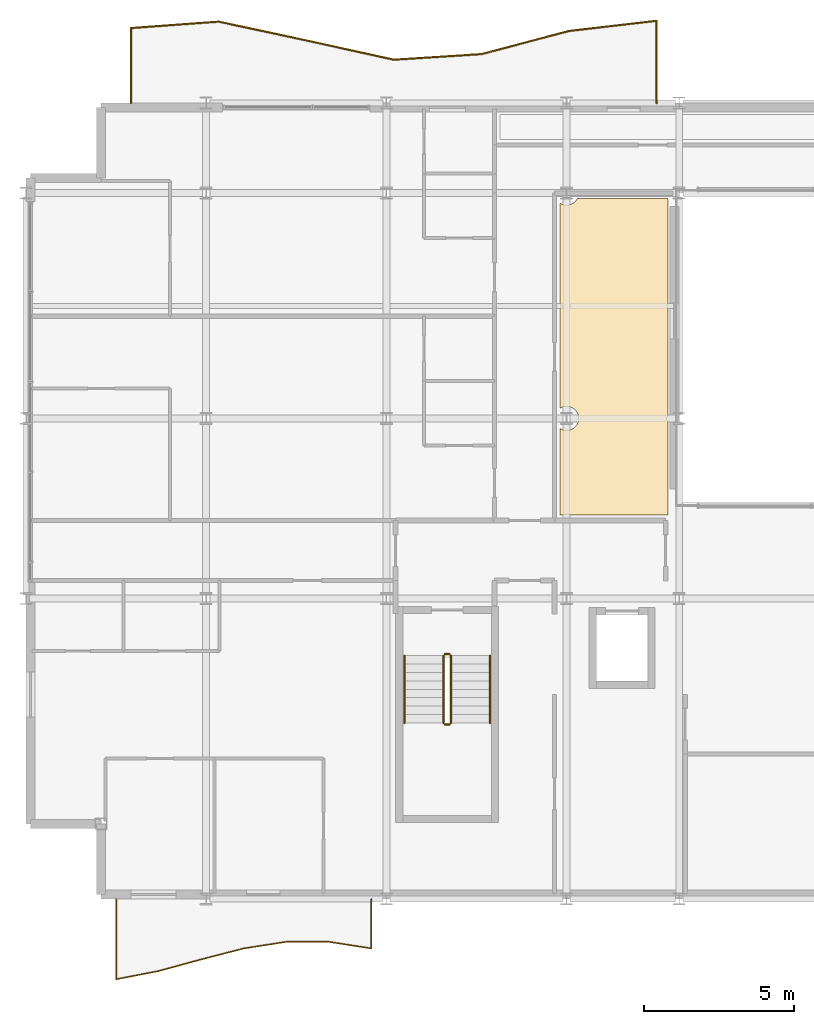
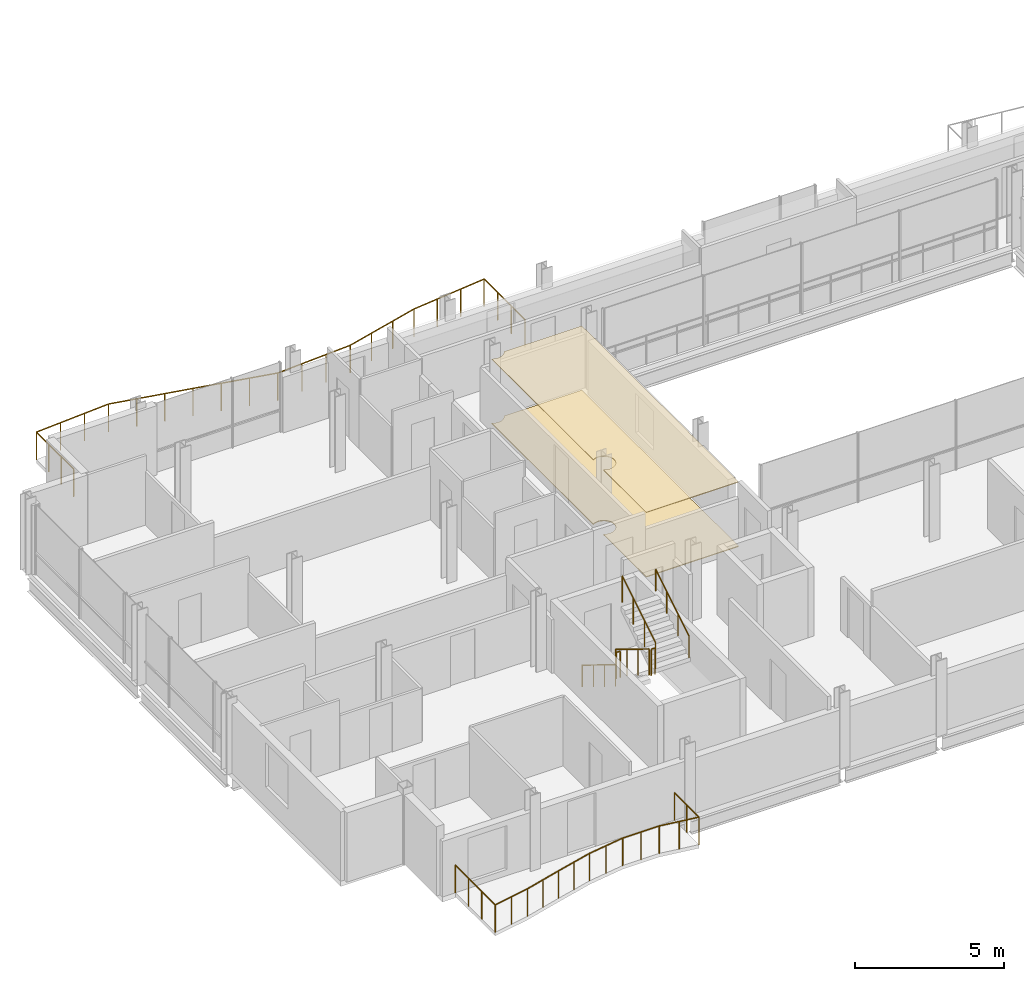
# One storey, part 34 of 36: 8 railings, 2 coverings.
"""IFC4 building model written with IfcOpenShell, lengths in metres."""

from ifc_helpers import new_model, si_unit, direction, frame, origin, origin_2d, place, context, subcontext, project, spatial, polyline, circle, outline, extrude, material, layer, layer_set, type_object, element, save


model = new_model("IFC4")

# Units and contexts
model_context = context("Model", 3, precision=1e-05, world=origin(), true_north=direction((0.0, 1.0)))
body_context = subcontext(model_context, "Body", "Model", "MODEL_VIEW")
ifc_project = project(units=[si_unit("LENGTHUNIT", "METRE"), si_unit("AREAUNIT", "SQUARE_METRE"), si_unit("VOLUMEUNIT", "CUBIC_METRE"), si_unit("PLANEANGLEUNIT", "RADIAN"), si_unit("MASSUNIT", "GRAM", prefix="KILO")], contexts=[model_context])

# Site, building, storey
site_placement = place(None, origin())
site = spatial("IfcSite", under=ifc_project, at=site_placement, CompositionType="ELEMENT")
building_placement = place(site_placement, origin())
building = spatial("IfcBuilding", under=site, at=building_placement, Name="Brevholm Reach", CompositionType="ELEMENT")
storey_placement = place(building_placement, frame((0.0, 0.0, 175.89990234375)))
storey = spatial("IfcBuildingStorey", under=building, at=storey_placement, Name="L53", CompositionType="ELEMENT", Elevation=175.89990234375)

# Coverings
ifc_material_1 = material(Name="Moisture-Resistant Skimmed Gypsum Plasterboard Ceiling", Category="gypsum")
ifc_layer_1 = layer(ifc_material_1, 0.030029296875)
ifc_layer_set_1 = layer_set([ifc_layer_1], Name="Moisture-Resistant Skimmed Gypsum Plasterboard Ceiling")
covering_type_1 = type_object("IfcCoveringType", Name="COV-CLG-GYP", PredefinedType="CEILING", material=ifc_layer_set_1)
covering_1_placement = place(storey_placement, frame((0.0, 0.0, 2.64013671875)))
element("IfcCovering", 1, at=covering_1_placement, inside=storey, type_object=covering_type_1, Name="L53 Suspended Ceiling L53-52", PredefinedType="CEILING", context=body_context, shape_type="SweptSolid", body=[
    extrude(outline(polyline([(21.3701171875, 23.320068359375), (21.3701171875, 16.123779296875), (21.3671875, 16.1162109375), (21.357666015625, 16.077880859375), (21.351806640625, 16.039306640625), (21.35009765625, 16.0), (21.351806640625, 15.960693359375), (21.357666015625, 15.922119140625), (21.3671875, 15.8837890625), (21.3701171875, 15.876220703125), (21.3701171875, 12.783935546875), (17.783935546875, 12.783935546875), (17.783935546875, 15.663818359375), (17.811279296875, 15.647216796875), (17.846923828125, 15.63037109375), (17.8837890625, 15.6171875), (17.922119140625, 15.607666015625), (17.960693359375, 15.601806640625), (18.0, 15.60009765625), (18.039306640625, 15.601806640625), (18.077880859375, 15.607666015625), (18.1162109375, 15.6171875), (18.153076171875, 15.63037109375), (18.188720703125, 15.647216796875), (18.22216796875, 15.66748046875), (18.25390625, 15.69091796875), (18.28271484375, 15.71728515625), (18.30908203125, 15.74609375), (18.33251953125, 15.77783203125), (18.352783203125, 15.811279296875), (18.36962890625, 15.846923828125), (18.3828125, 15.8837890625), (18.392333984375, 15.922119140625), (18.398193359375, 15.960693359375), (18.39990234375, 16.0), (18.398193359375, 16.039306640625), (18.392333984375, 16.077880859375), (18.3828125, 16.1162109375), (18.36962890625, 16.153076171875), (18.352783203125, 16.188720703125), (18.33251953125, 16.22216796875), (18.30908203125, 16.25390625), (18.28271484375, 16.28271484375), (18.25390625, 16.30908203125), (18.22216796875, 16.33251953125), (18.188720703125, 16.352783203125), (18.153076171875, 16.36962890625), (18.1162109375, 16.3828125), (18.077880859375, 16.392333984375), (18.039306640625, 16.398193359375), (18.0, 16.39990234375), (17.960693359375, 16.398193359375), (17.922119140625, 16.392333984375), (17.8837890625, 16.3828125), (17.846923828125, 16.36962890625), (17.811279296875, 16.352783203125), (17.783935546875, 16.336181640625), (17.783935546875, 23.163818359375), (17.811279296875, 23.147216796875), (17.846923828125, 23.13037109375), (17.8837890625, 23.1171875), (17.922119140625, 23.107666015625), (17.960693359375, 23.101806640625), (18.0, 23.10009765625), (18.039306640625, 23.101806640625), (18.077880859375, 23.107666015625), (18.1162109375, 23.1171875), (18.153076171875, 23.13037109375), (18.188720703125, 23.147216796875), (18.22216796875, 23.16748046875), (18.25390625, 23.19091796875), (18.28271484375, 23.21728515625), (18.30908203125, 23.24609375), (18.33251953125, 23.27783203125), (18.352783203125, 23.311279296875), (18.356689453125, 23.320068359375), (21.3701171875, 23.320068359375)])), origin(), (0.0, 0.0, 1.0), 0.030029296875),
])
ifc_material_2 = material(Name="Honed Portland-Aggregate Resin Terrazzo Flooring", Category="concrete")
ifc_layer_2 = layer(ifc_material_2, 0.031982421875)
ifc_layer_set_2 = layer_set([ifc_layer_2], Name="Honed Portland-Aggregate Resin Terrazzo Flooring")
covering_type_2 = type_object("IfcCoveringType", Name="COV-FLR-TRZ", PredefinedType="FLOORING", material=ifc_layer_set_2)
covering_2_placement = place(storey_placement, origin())
element("IfcCovering", 2, at=covering_2_placement, inside=storey, type_object=covering_type_2, Name="L53 Floor Finish L53-52", PredefinedType="FLOORING", context=body_context, shape_type="SweptSolid", body=[
    extrude(outline(polyline([(21.3701171875, 23.320068359375), (21.3701171875, 16.123779296875), (21.3671875, 16.1162109375), (21.357666015625, 16.077880859375), (21.351806640625, 16.039306640625), (21.35009765625, 16.0), (21.351806640625, 15.960693359375), (21.357666015625, 15.922119140625), (21.3671875, 15.8837890625), (21.3701171875, 15.876220703125), (21.3701171875, 12.783935546875), (17.783935546875, 12.783935546875), (17.783935546875, 15.663818359375), (17.811279296875, 15.647216796875), (17.846923828125, 15.63037109375), (17.8837890625, 15.6171875), (17.922119140625, 15.607666015625), (17.960693359375, 15.601806640625), (18.0, 15.60009765625), (18.039306640625, 15.601806640625), (18.077880859375, 15.607666015625), (18.1162109375, 15.6171875), (18.153076171875, 15.63037109375), (18.188720703125, 15.647216796875), (18.22216796875, 15.66748046875), (18.25390625, 15.69091796875), (18.28271484375, 15.71728515625), (18.30908203125, 15.74609375), (18.33251953125, 15.77783203125), (18.352783203125, 15.811279296875), (18.36962890625, 15.846923828125), (18.3828125, 15.8837890625), (18.392333984375, 15.922119140625), (18.398193359375, 15.960693359375), (18.39990234375, 16.0), (18.398193359375, 16.039306640625), (18.392333984375, 16.077880859375), (18.3828125, 16.1162109375), (18.36962890625, 16.153076171875), (18.352783203125, 16.188720703125), (18.33251953125, 16.22216796875), (18.30908203125, 16.25390625), (18.28271484375, 16.28271484375), (18.25390625, 16.30908203125), (18.22216796875, 16.33251953125), (18.188720703125, 16.352783203125), (18.153076171875, 16.36962890625), (18.1162109375, 16.3828125), (18.077880859375, 16.392333984375), (18.039306640625, 16.398193359375), (18.0, 16.39990234375), (17.960693359375, 16.398193359375), (17.922119140625, 16.392333984375), (17.8837890625, 16.3828125), (17.846923828125, 16.36962890625), (17.811279296875, 16.352783203125), (17.783935546875, 16.336181640625), (17.783935546875, 23.163818359375), (17.811279296875, 23.147216796875), (17.846923828125, 23.13037109375), (17.8837890625, 23.1171875), (17.922119140625, 23.107666015625), (17.960693359375, 23.101806640625), (18.0, 23.10009765625), (18.039306640625, 23.101806640625), (18.077880859375, 23.107666015625), (18.1162109375, 23.1171875), (18.153076171875, 23.13037109375), (18.188720703125, 23.147216796875), (18.22216796875, 23.16748046875), (18.25390625, 23.19091796875), (18.28271484375, 23.21728515625), (18.30908203125, 23.24609375), (18.33251953125, 23.27783203125), (18.352783203125, 23.311279296875), (18.356689453125, 23.320068359375), (21.3701171875, 23.320068359375)])), origin(), (0.0, 0.0, 1.0), 0.031982421875),
])

# Railings
ifc_material_3 = material(Name="Brushed Stainless Steel EN 1.4401 and Laminated Glass", Category="steel")
railing_type_1 = type_object("IfcRailingType", Name="RAL-BALC-1150", PredefinedType="BALUSTRADE", material=ifc_material_3)
railing_1_placement = place(storey_placement, frame((21.0, 26.5, 0.0)))
element("IfcRailing", 3, at=railing_1_placement, inside=storey, type_object=railing_type_1, Name="L53 Guard Balustrade RAL-L53-BAL-NW", PredefinedType="BALUSTRADE", context=body_context, shape_type="SweptSolid", body=[
    extrude(circle(Radius=0.02392578125, at=origin_2d()), frame((0.0, 0.0, 1.1259765625), z_axis=(0.0, 1.0, 0.0), x_axis=(-1.0, 0.0, 0.0)), (0.0, 0.0, 1.0), 2.74169921875),
    extrude(circle(Radius=0.02392578125, at=origin_2d()), frame((0.0, 2.74169921875, 1.1259765625), z_axis=(-0.99329006652, -0.11564965954, 0.0), x_axis=(0.11564965954, -0.99329006652, 0.0)), (0.0, 0.0, 1.0), 2.9365234375),
    extrude(circle(Radius=0.02392578125, at=origin_2d()), frame((-2.916748046875, 2.402099609375, 1.1259765625), z_axis=(-0.966868735292, -0.255274065889, 0.0), x_axis=(0.255274065889, -0.966868735292, 0.0)), (0.0, 0.0, 1.0), 3.016357421875),
    extrude(circle(Radius=0.02392578125, at=origin_2d()), frame((-5.833251953125, 1.632080078125, 1.1259765625), z_axis=(-0.997945514781, -0.06406831923, 0.0), x_axis=(0.06406831923, -0.997945514781, 0.0)), (0.0, 0.0, 1.0), 2.9228515625),
    extrude(circle(Radius=0.02392578125, at=origin_2d()), frame((-8.75, 1.44482421875, 1.1259765625), z_axis=(-0.976615982801, 0.214991214093, 0.0), x_axis=(-0.214991214093, -0.976615982801, 0.0)), (0.0, 0.0, 1.0), 2.986572265625),
    extrude(circle(Radius=0.02392578125, at=origin_2d()), frame((-11.666748046875, 2.0869140625, 1.1259765625), z_axis=(-0.977716094956, 0.209931507079, 0.0), x_axis=(-0.209931507079, -0.977716094956, 0.0)), (0.0, 0.0, 1.0), 2.98291015625),
    extrude(circle(Radius=0.02392578125, at=origin_2d()), frame((-14.583251953125, 2.713134765625, 1.1259765625), z_axis=(-0.997334760815, -0.072961461535, 0.0), x_axis=(0.072961461535, -0.997334760815, 0.0)), (0.0, 0.0, 1.0), 2.924560546875),
    extrude(circle(Radius=0.02392578125, at=origin_2d()), frame((-17.5, 2.499755859375, 1.1259765625), z_axis=(0.0, -1.0, 0.0), x_axis=(1.0, 0.0, 0.0)), (0.0, 0.0, 1.0), 2.499755859375),
    extrude(circle(Radius=0.02099609375, at=origin_2d()), origin(), (0.0, 0.0, 1.0), 1.101806640625),
    extrude(circle(Radius=0.02099609375, at=origin_2d()), frame((0.0, 0.913818359375, 0.0)), (0.0, 0.0, 1.0), 1.101806640625),
    extrude(circle(Radius=0.02099609375, at=origin_2d()), frame((0.0, 1.827880859375, 0.0)), (0.0, 0.0, 1.0), 1.101806640625),
    extrude(circle(Radius=0.02099609375, at=origin_2d()), frame((0.0, 2.74169921875, 0.0)), (0.0, 0.0, 1.0), 1.101806640625),
    extrude(circle(Radius=0.02099609375, at=origin_2d()), frame((-0.97216796875, 2.62841796875, 0.0)), (0.0, 0.0, 1.0), 1.101806640625),
    extrude(circle(Radius=0.02099609375, at=origin_2d()), frame((-1.944580078125, 2.515380859375, 0.0)), (0.0, 0.0, 1.0), 1.101806640625),
    extrude(circle(Radius=0.02099609375, at=origin_2d()), frame((-2.916748046875, 2.402099609375, 0.0)), (0.0, 0.0, 1.0), 1.101806640625),
    extrude(circle(Radius=0.02099609375, at=origin_2d()), frame((-3.888916015625, 2.1455078125, 0.0)), (0.0, 0.0, 1.0), 1.101806640625),
    extrude(circle(Radius=0.02099609375, at=origin_2d()), frame((-4.861083984375, 1.888671875, 0.0)), (0.0, 0.0, 1.0), 1.101806640625),
    extrude(circle(Radius=0.02099609375, at=origin_2d()), frame((-5.833251953125, 1.632080078125, 0.0)), (0.0, 0.0, 1.0), 1.101806640625),
    extrude(circle(Radius=0.02099609375, at=origin_2d()), frame((-6.805419921875, 1.569580078125, 0.0)), (0.0, 0.0, 1.0), 1.101806640625),
    extrude(circle(Radius=0.02099609375, at=origin_2d()), frame((-7.77783203125, 1.50732421875, 0.0)), (0.0, 0.0, 1.0), 1.101806640625),
    extrude(circle(Radius=0.02099609375, at=origin_2d()), frame((-8.75, 1.44482421875, 0.0)), (0.0, 0.0, 1.0), 1.101806640625),
    extrude(circle(Radius=0.02099609375, at=origin_2d()), frame((-9.72216796875, 1.658935546875, 0.0)), (0.0, 0.0, 1.0), 1.101806640625),
    extrude(circle(Radius=0.02099609375, at=origin_2d()), frame((-10.694580078125, 1.872802734375, 0.0)), (0.0, 0.0, 1.0), 1.101806640625),
    extrude(circle(Radius=0.02099609375, at=origin_2d()), frame((-11.666748046875, 2.0869140625, 0.0)), (0.0, 0.0, 1.0), 1.101806640625),
    extrude(circle(Radius=0.02099609375, at=origin_2d()), frame((-12.638916015625, 2.295654296875, 0.0)), (0.0, 0.0, 1.0), 1.101806640625),
    extrude(circle(Radius=0.02099609375, at=origin_2d()), frame((-13.611083984375, 2.50439453125, 0.0)), (0.0, 0.0, 1.0), 1.101806640625),
    extrude(circle(Radius=0.02099609375, at=origin_2d()), frame((-14.583251953125, 2.713134765625, 0.0)), (0.0, 0.0, 1.0), 1.101806640625),
    extrude(circle(Radius=0.02099609375, at=origin_2d()), frame((-15.555419921875, 2.64208984375, 0.0)), (0.0, 0.0, 1.0), 1.101806640625),
    extrude(circle(Radius=0.02099609375, at=origin_2d()), frame((-16.52783203125, 2.57080078125, 0.0)), (0.0, 0.0, 1.0), 1.101806640625),
    extrude(circle(Radius=0.02099609375, at=origin_2d()), frame((-17.5, 2.499755859375, 0.0)), (0.0, 0.0, 1.0), 1.101806640625),
    extrude(circle(Radius=0.02099609375, at=origin_2d()), frame((-17.5, 1.66650390625, 0.0)), (0.0, 0.0, 1.0), 1.101806640625),
    extrude(circle(Radius=0.02099609375, at=origin_2d()), frame((-17.5, 0.833251953125, 0.0)), (0.0, 0.0, 1.0), 1.101806640625),
    extrude(circle(Radius=0.02099609375, at=origin_2d()), frame((-17.5, 0.0, 0.0)), (0.0, 0.0, 1.0), 1.101806640625),
])
railing_2_placement = place(storey_placement, frame((3.0, 0.0, 0.0)))
element("IfcRailing", 4, at=railing_2_placement, inside=storey, type_object=railing_type_1, Name="L53 Guard Balustrade RAL-L53-BAL-SW", PredefinedType="BALUSTRADE", context=body_context, shape_type="SweptSolid", body=[
    extrude(circle(Radius=0.02392578125, at=origin_2d()), frame((0.0, 0.0, 1.1259765625), z_axis=(0.0, -1.0, 0.0), x_axis=(1.0, 0.0, 0.0)), (0.0, 0.0, 1.0), 2.676513671875),
    extrude(circle(Radius=0.02392578125, at=origin_2d()), frame((0.0, -2.676513671875, 1.1259765625), z_axis=(0.98175336952, 0.190158674365, 0.0), x_axis=(-0.190158674365, 0.98175336952, 0.0)), (0.0, 0.0, 1.0), 1.443115234375),
    extrude(circle(Radius=0.02392578125, at=origin_2d()), frame((1.416748046875, -2.402099609375, 1.1259765625), z_axis=(0.964821360478, 0.262906337628, 0.0), x_axis=(-0.262906337628, 0.964821360478, 0.0)), (0.0, 0.0, 1.0), 1.46826171875),
    extrude(circle(Radius=0.02392578125, at=origin_2d()), frame((2.833251953125, -2.01611328125, 1.1259765625), z_axis=(0.968218696825, 0.250105088151, 0.0), x_axis=(-0.250105088151, 0.968218696825, 0.0)), (0.0, 0.0, 1.0), 1.463134765625),
    extrude(circle(Radius=0.02392578125, at=origin_2d()), frame((4.25, -1.650146484375, 1.1259765625), z_axis=(0.988082538492, 0.153924972393, 0.0), x_axis=(-0.153924972393, 0.988082538492, 0.0)), (0.0, 0.0, 1.0), 1.433837890625),
    extrude(circle(Radius=0.02392578125, at=origin_2d()), frame((5.666748046875, -1.429443359375, 1.1259765625), z_axis=(1.0, 0.0, 0.0), x_axis=(0.0, 1.0, 0.0)), (0.0, 0.0, 1.0), 1.41650390625),
    extrude(circle(Radius=0.02392578125, at=origin_2d()), frame((7.083251953125, -1.429443359375, 1.1259765625), z_axis=(0.988082538492, -0.153924972393, 0.0), x_axis=(0.153924972393, 0.988082538492, 0.0)), (0.0, 0.0, 1.0), 1.433837890625),
    extrude(circle(Radius=0.02392578125, at=origin_2d()), frame((8.5, -1.650146484375, 1.1259765625), z_axis=(0.0, 1.0, 0.0), x_axis=(-1.0, 0.0, 0.0)), (0.0, 0.0, 1.0), 1.650146484375),
    extrude(circle(Radius=0.02099609375, at=origin_2d()), origin(), (0.0, 0.0, 1.0), 1.101806640625),
    extrude(circle(Radius=0.02099609375, at=origin_2d()), frame((0.0, -0.89208984375, 0.0)), (0.0, 0.0, 1.0), 1.101806640625),
    extrude(circle(Radius=0.02099609375, at=origin_2d()), frame((0.0, -1.784423828125, 0.0)), (0.0, 0.0, 1.0), 1.101806640625),
    extrude(circle(Radius=0.02099609375, at=origin_2d()), frame((0.0, -2.676513671875, 0.0)), (0.0, 0.0, 1.0), 1.101806640625),
    extrude(circle(Radius=0.02099609375, at=origin_2d()), frame((0.70849609375, -2.539306640625, 0.0)), (0.0, 0.0, 1.0), 1.101806640625),
    extrude(circle(Radius=0.02099609375, at=origin_2d()), frame((1.416748046875, -2.402099609375, 0.0)), (0.0, 0.0, 1.0), 1.101806640625),
    extrude(circle(Radius=0.02099609375, at=origin_2d()), frame((2.125, -2.208984375, 0.0)), (0.0, 0.0, 1.0), 1.101806640625),
    extrude(circle(Radius=0.02099609375, at=origin_2d()), frame((2.833251953125, -2.01611328125, 0.0)), (0.0, 0.0, 1.0), 1.101806640625),
    extrude(circle(Radius=0.02099609375, at=origin_2d()), frame((3.54150390625, -1.8330078125, 0.0)), (0.0, 0.0, 1.0), 1.101806640625),
    extrude(circle(Radius=0.02099609375, at=origin_2d()), frame((4.25, -1.650146484375, 0.0)), (0.0, 0.0, 1.0), 1.101806640625),
    extrude(circle(Radius=0.02099609375, at=origin_2d()), frame((4.95849609375, -1.539794921875, 0.0)), (0.0, 0.0, 1.0), 1.101806640625),
    extrude(circle(Radius=0.02099609375, at=origin_2d()), frame((5.666748046875, -1.429443359375, 0.0)), (0.0, 0.0, 1.0), 1.101806640625),
    extrude(circle(Radius=0.02099609375, at=origin_2d()), frame((6.375, -1.429443359375, 0.0)), (0.0, 0.0, 1.0), 1.101806640625),
    extrude(circle(Radius=0.02099609375, at=origin_2d()), frame((7.083251953125, -1.429443359375, 0.0)), (0.0, 0.0, 1.0), 1.101806640625),
    extrude(circle(Radius=0.02099609375, at=origin_2d()), frame((7.79150390625, -1.539794921875, 0.0)), (0.0, 0.0, 1.0), 1.101806640625),
    extrude(circle(Radius=0.02099609375, at=origin_2d()), frame((8.5, -1.650146484375, 0.0)), (0.0, 0.0, 1.0), 1.101806640625),
    extrude(circle(Radius=0.02099609375, at=origin_2d()), frame((8.5, -0.8251953125, 0.0)), (0.0, 0.0, 1.0), 1.101806640625),
    extrude(circle(Radius=0.02099609375, at=origin_2d()), frame((8.5, 0.0, 0.0)), (0.0, 0.0, 1.0), 1.101806640625),
])
ifc_material_4 = material(Name="Brushed Stainless Steel EN 1.4401 Continuous Handrail", Category="steel")
railing_type_2 = type_object("IfcRailingType", Name="RAL-HND-950", PredefinedType="HANDRAIL", material=ifc_material_4)
railing_3_placement = place(storey_placement, frame((12.60009765625, 8.10009765625, 0.17236328125)))
element("IfcRailing", 5, at=railing_3_placement, inside=storey, type_object=railing_type_2, Name="L53 ST-1 stair handrail 1", PredefinedType="HANDRAIL", context=body_context, shape_type="SweptSolid", body=[
    extrude(circle(Radius=0.02392578125, at=origin_2d()), frame((0.0, 0.0, 0.8857421875), z_axis=(0.0, -0.85178898068, 0.523885037382), x_axis=(1.0, 0.0, 0.0)), (0.0, 0.0, 1.0), 2.629638671875),
    extrude(circle(Radius=0.02099609375, at=origin_2d()), origin(), (0.0, 0.0, 1.0), 0.86181640625),
    extrude(circle(Radius=0.02099609375, at=origin_2d()), frame((0.0, -0.74658203125, 0.459228515625)), (0.0, 0.0, 1.0), 0.86181640625),
    extrude(circle(Radius=0.02099609375, at=origin_2d()), frame((0.0, -1.493408203125, 0.91845703125)), (0.0, 0.0, 1.0), 0.86181640625),
    extrude(circle(Radius=0.02099609375, at=origin_2d()), frame((0.0, -2.239990234375, 1.377685546875)), (0.0, 0.0, 1.0), 0.86181640625),
])
railing_4_placement = place(storey_placement, frame((15.449951171875, 5.860107421875, 1.722412109375)))
element("IfcRailing", 6, at=railing_4_placement, inside=storey, type_object=railing_type_2, Name="L53 ST-1 stair handrail 2", PredefinedType="HANDRAIL", context=body_context, shape_type="SweptSolid", body=[
    extrude(circle(Radius=0.02392578125, at=origin_2d()), frame((0.0, 0.0, 0.8857421875), z_axis=(0.0, 0.85178898068, 0.523885037382), x_axis=(-1.0, 0.0, 0.0)), (0.0, 0.0, 1.0), 2.629638671875),
    extrude(circle(Radius=0.02099609375, at=origin_2d()), origin(), (0.0, 0.0, 1.0), 0.86181640625),
    extrude(circle(Radius=0.02099609375, at=origin_2d()), frame((0.0, 0.74658203125, 0.459228515625)), (0.0, 0.0, 1.0), 0.86181640625),
    extrude(circle(Radius=0.02099609375, at=origin_2d()), frame((0.0, 1.493408203125, 0.91845703125)), (0.0, 0.0, 1.0), 0.86181640625),
    extrude(circle(Radius=0.02099609375, at=origin_2d()), frame((0.0, 2.239990234375, 1.377685546875)), (0.0, 0.0, 1.0), 0.86181640625),
])
ifc_material_5 = material(Name="Painted Tubular Galvanised Steel S275JR Stair Guard", Category="steel")
railing_type_3 = type_object("IfcRailingType", Name="RAL-STG-1120", PredefinedType="BALUSTRADE", material=ifc_material_5)
railing_5_placement = place(storey_placement, frame((13.89990234375, 8.10009765625, 0.17236328125)))
element("IfcRailing", 7, at=railing_5_placement, inside=storey, type_object=railing_type_3, Name="L53 ST-1 stair guard 1", PredefinedType="BALUSTRADE", context=body_context, shape_type="SweptSolid", body=[
    extrude(circle(Radius=0.02392578125, at=origin_2d()), frame((0.0, 0.0, 1.076171875), z_axis=(0.0, -0.85178898068, 0.523885037382), x_axis=(1.0, 0.0, 0.0)), (0.0, 0.0, 1.0), 2.629638671875),
    extrude(circle(Radius=0.02099609375, at=origin_2d()), origin(), (0.0, 0.0, 1.0), 1.052001953125),
    extrude(circle(Radius=0.02099609375, at=origin_2d()), frame((0.0, -0.74658203125, 0.459228515625)), (0.0, 0.0, 1.0), 1.052001953125),
    extrude(circle(Radius=0.02099609375, at=origin_2d()), frame((0.0, -1.493408203125, 0.91845703125)), (0.0, 0.0, 1.0), 1.052001953125),
    extrude(circle(Radius=0.02099609375, at=origin_2d()), frame((0.0, -2.239990234375, 1.377685546875)), (0.0, 0.0, 1.0), 1.052001953125),
])
railing_6_placement = place(storey_placement, frame((13.949951171875, 5.81005859375, 1.550048828125)))
element("IfcRailing", 8, at=railing_6_placement, inside=storey, type_object=railing_type_3, Name="L53 ST-1 stair guard 2", PredefinedType="BALUSTRADE", context=body_context, shape_type="SweptSolid", body=[
    extrude(circle(Radius=0.02392578125, at=origin_2d()), frame((0.0, 0.0, 1.076171875), z_axis=(1.0, 0.0, 0.0), x_axis=(0.0, 1.0, 0.0)), (0.0, 0.0, 1.0), 0.150146484375),
    extrude(circle(Radius=0.02099609375, at=origin_2d()), origin(), (0.0, 0.0, 1.0), 1.052001953125),
    extrude(circle(Radius=0.02099609375, at=origin_2d()), frame((0.150146484375, 0.0, 0.0)), (0.0, 0.0, 1.0), 1.052001953125),
])
railing_7_placement = place(storey_placement, frame((14.14990234375, 5.860107421875, 1.722412109375)))
element("IfcRailing", 9, at=railing_7_placement, inside=storey, type_object=railing_type_3, Name="L53 ST-1 stair guard 3", PredefinedType="BALUSTRADE", context=body_context, shape_type="SweptSolid", body=[
    extrude(circle(Radius=0.02392578125, at=origin_2d()), frame((0.0, 0.0, 1.076171875), z_axis=(0.0, 0.85178898068, 0.523885037382), x_axis=(-1.0, 0.0, 0.0)), (0.0, 0.0, 1.0), 2.629638671875),
    extrude(circle(Radius=0.02099609375, at=origin_2d()), origin(), (0.0, 0.0, 1.0), 1.052001953125),
    extrude(circle(Radius=0.02099609375, at=origin_2d()), frame((0.0, 0.74658203125, 0.459228515625)), (0.0, 0.0, 1.0), 1.052001953125),
    extrude(circle(Radius=0.02099609375, at=origin_2d()), frame((0.0, 1.493408203125, 0.91845703125)), (0.0, 0.0, 1.0), 1.052001953125),
    extrude(circle(Radius=0.02099609375, at=origin_2d()), frame((0.0, 2.239990234375, 1.377685546875)), (0.0, 0.0, 1.0), 1.052001953125),
])
railing_8_placement = place(storey_placement, frame((13.949951171875, 8.14990234375, 0.0)))
element("IfcRailing", 10, at=railing_8_placement, inside=storey, type_object=railing_type_3, Name="L53 ST-1 stair guard 4", PredefinedType="BALUSTRADE", context=body_context, shape_type="SweptSolid", body=[
    extrude(circle(Radius=0.02392578125, at=origin_2d()), frame((0.0, 0.0, 1.076171875), z_axis=(1.0, 0.0, 0.0), x_axis=(0.0, 1.0, 0.0)), (0.0, 0.0, 1.0), 0.150146484375),
    extrude(circle(Radius=0.02099609375, at=origin_2d()), origin(), (0.0, 0.0, 1.0), 1.052001953125),
    extrude(circle(Radius=0.02099609375, at=origin_2d()), frame((0.150146484375, 0.0, 0.0)), (0.0, 0.0, 1.0), 1.052001953125),
])

save(model, "model.ifc")
